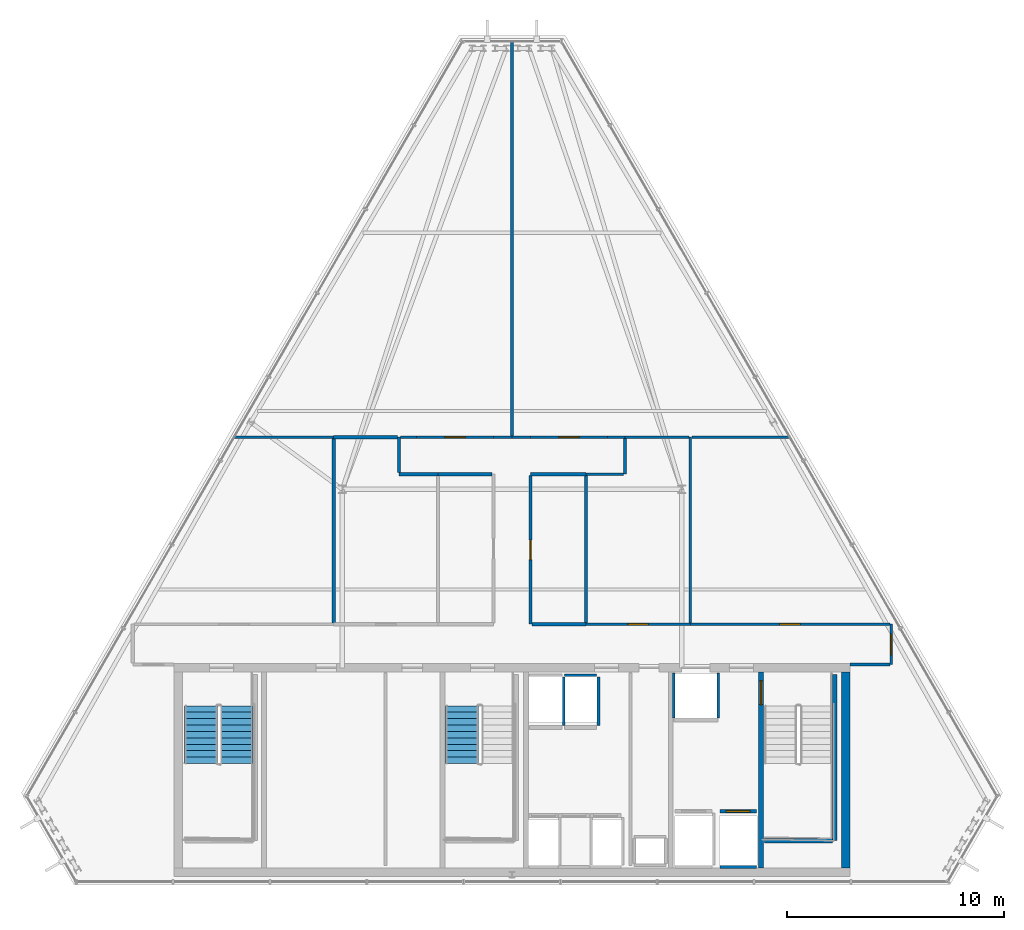
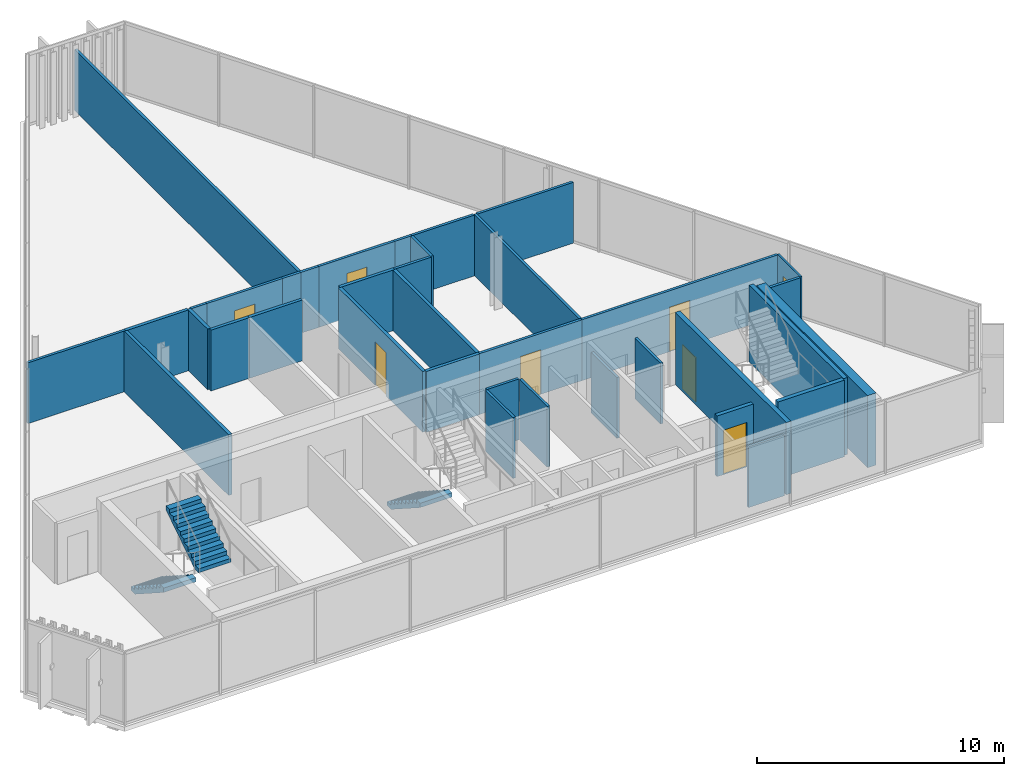
# One storey, part 28 of 32: 37 walls, 8 doors, 3 stair flights, 8 openings, 2 elements without a shape of their own.
"""IFC4 building model written with IfcOpenShell, lengths in metres."""

import ifcopenshell
import ifcopenshell.guid

model = None  # the IFC model being written
_history = None  # IfcOwnerHistory: only IFC2X3 demands one
_inside = {}  # id of a spatial element -> (the spatial element, [elements in it])
_under = {}  # id of a project, library or spatial element -> (it, [spatial elements below it])
_declared = {}  # id of a project -> (the project, [libraries it declares])
_typed = {}  # id of a type object -> (the type object, [elements of that type])
_made_of = {}  # id of a material, layer set ... -> (it, [elements and type objects made of it])


def new_model(schema):
    """Start an empty IFC model of exactly this schema.

    Asked for "IFC4X3", IfcOpenShell would pick the latest addendum, in which some entities
    have other attributes; the version numbers below select the first issue.
    IFC2X3 requires an IfcOwnerHistory on every rooted entity: one is made here for all.
    """
    global model, _history
    if schema == "IFC4X3":
        model = ifcopenshell.file(schema_version=(4, 3, 0, 0))
    else:
        model = ifcopenshell.file(schema=schema)
    _inside.clear()
    _under.clear()
    _declared.clear()
    _typed.clear()
    _made_of.clear()
    _history = None
    if model.schema == "IFC2X3":
        org = make("IfcOrganization", Name="unknown")
        user = make(
            "IfcPersonAndOrganization",
            ThePerson=make("IfcPerson", FamilyName="unknown"),
            TheOrganization=org,
        )
        app = make(
            "IfcApplication",
            ApplicationDeveloper=org,
            Version="unknown",
            ApplicationFullName="unknown",
            ApplicationIdentifier="unknown",
        )
        _history = make(
            "IfcOwnerHistory",
            OwningUser=user,
            OwningApplication=app,
            ChangeAction="ADDED",
            CreationDate=0,
        )
    return model


def make(cls, **values):
    """One entity of the class cls with the attributes given. An attribute that is None is left unset."""
    return model.create_entity(
        cls, **{name: value for name, value in values.items() if value is not None}
    )


def rooted(cls, **values):
    """An entity with a GlobalId (a new one), such as an element, a storey or a relation."""
    return make(cls, GlobalId=ifcopenshell.guid.new(), OwnerHistory=_history, **values)


def si_unit(unit_type, name, prefix=None):
    """IfcSIUnit, for example si_unit("LENGTHUNIT", "METRE", prefix="MILLI")."""
    return make("IfcSIUnit", UnitType=unit_type, Prefix=prefix, Name=name)


def assignment(units):
    """IfcUnitAssignment: the units of a project."""
    return None if units is None else make("IfcUnitAssignment", Units=units)


def point(xyz):
    """IfcCartesianPoint."""
    return None if xyz is None else make("IfcCartesianPoint", Coordinates=xyz)


def direction(xyz):
    """IfcDirection."""
    return None if xyz is None else make("IfcDirection", DirectionRatios=xyz)


def frame(location, z_axis=None, x_axis=None):
    """IfcAxis2Placement3D, a coordinate frame: its origin and axes. An axis left out is left unset."""
    return make(
        "IfcAxis2Placement3D",
        Location=point(location),
        Axis=direction(z_axis),
        RefDirection=direction(x_axis),
    )


def frame_2d(location, x_axis=None):
    """IfcAxis2Placement2D, a coordinate frame in the plane: its origin and x axis."""
    return make(
        "IfcAxis2Placement2D", Location=point(location), RefDirection=direction(x_axis)
    )


def origin():
    """The frame at (0, 0, 0) with its axes left unset."""
    return frame((0.0, 0.0, 0.0))


def place(relative_to, where):
    """IfcLocalPlacement: puts the frame where relative to a parent placement (None: the world)."""
    return make(
        "IfcLocalPlacement", PlacementRelTo=relative_to, RelativePlacement=where
    )


def context(
    kind, dimensions, precision=None, world=None, true_north=None, identifier=None
):
    """IfcGeometricRepresentationContext, for example the 3D "Model" context."""
    return make(
        "IfcGeometricRepresentationContext",
        ContextIdentifier=identifier,
        ContextType=kind,
        CoordinateSpaceDimension=dimensions,
        Precision=precision,
        WorldCoordinateSystem=world,
        TrueNorth=true_north,
    )


def subcontext(parent, identifier, kind, view, scale=None):
    """IfcGeometricRepresentationSubContext, for example "Body" below "Model"."""
    return make(
        "IfcGeometricRepresentationSubContext",
        ContextIdentifier=identifier,
        ContextType=kind,
        ParentContext=parent,
        TargetScale=scale,
        TargetView=view,
    )


def project(units=None, contexts=None):
    """IfcProject with its units and contexts."""
    return rooted(
        "IfcProject",
        Name="project",
        RepresentationContexts=contexts,
        UnitsInContext=assignment(units),
    )


def spatial(cls, under=None, at=None, **own):
    """A site, building, storey or space (cls), placed at a placement, below another one or the project."""
    s = rooted(cls, ObjectPlacement=at, **own)
    if under is not None:
        _under.setdefault(under.id(), (under, []))[1].append(s)
    return s


def polyline(points):
    """IfcPolyline through the points."""
    return make("IfcPolyline", Points=[point(p) for p in points])


def profile(cls, at=None, kind="AREA", **sizes):
    """A parametric profile (cls). Its sizes go by their IFC names, for example OverallWidth=200.0."""
    return make(cls, ProfileType=kind, Position=at, **sizes)


def rectangle(**sizes):
    """IfcRectangleProfileDef."""
    return profile("IfcRectangleProfileDef", **sizes)


def outline(outer, holes=None, kind="AREA"):
    """IfcArbitraryClosedProfileDef: a profile drawn as a closed curve; with holes, ...WithVoids."""
    if holes is None:
        return make("IfcArbitraryClosedProfileDef", ProfileType=kind, OuterCurve=outer)
    return make(
        "IfcArbitraryProfileDefWithVoids",
        ProfileType=kind,
        OuterCurve=outer,
        InnerCurves=holes,
    )


def extrude(swept, where, along, depth):
    """IfcExtrudedAreaSolid: the profile swept, set in the frame where, extruded along a direction by depth."""
    return make(
        "IfcExtrudedAreaSolid",
        SweptArea=swept,
        Position=where,
        ExtrudedDirection=direction(along),
        Depth=depth,
    )


def shape(context_of_items, identifier, shape_type, items):
    """IfcShapeRepresentation: the items that make up one representation, for example the "Body"."""
    return make(
        "IfcShapeRepresentation",
        ContextOfItems=context_of_items,
        RepresentationIdentifier=identifier,
        RepresentationType=shape_type,
        Items=items,
    )


def material(Name=None, Category=None):
    """IfcMaterial."""
    return make("IfcMaterial", Name=Name, Category=Category)


def layer(
    of_material, thickness, ventilated=None, Name=None, Category=None, Priority=None
):
    """IfcMaterialLayer: one layer of a wall or slab, of a material (None: an air gap)."""
    return make(
        "IfcMaterialLayer",
        Material=of_material,
        LayerThickness=thickness,
        IsVentilated=ventilated,
        Name=Name,
        Category=Category,
        Priority=Priority,
    )


def layer_set(layers, Name=None):
    """IfcMaterialLayerSet."""
    return make("IfcMaterialLayerSet", MaterialLayers=layers, LayerSetName=Name)


def made_of(thing, what):
    """Note that an element or type object is made of a material, layer set ...; save() writes the relation."""
    if what is not None:
        _made_of.setdefault(what.id(), (what, []))[1].append(thing)
    return thing


def type_object(cls, material=None, **own):
    """A type object (cls), such as IfcWallType, which elements share."""
    return made_of(rooted(cls, **own), material)


def element(
    cls,
    number,
    at=None,
    inside=None,
    cuts=None,
    type_object=None,
    material=None,
    context=None,
    identifier="Body",
    shape_type=None,
    held_by="IfcProductDefinitionShape",
    body=None,
    shapes=None,
    **own,
):
    """One element of the class cls, such as IfcWall. Its Tag is "e" and its number.

    at: its placement. inside: the storey or other place that contains it. cuts: it is an
    opening in that element (IfcRelVoidsElement). A single representation is given by context,
    identifier, shape_type and body (its items); several are given by shapes. held_by: the class
    of the entity that holds the representations. save() writes the other relations.
    """
    e = rooted(cls, Tag="e%d" % number, ObjectPlacement=at, **own)
    if body is not None:
        shapes = [shape(context, identifier, shape_type, body)]
    if shapes is not None:
        e.Representation = make(held_by, Representations=shapes)
    if inside is not None:
        _inside.setdefault(inside.id(), (inside, []))[1].append(e)
    if cuts is not None:
        rooted(
            "IfcRelVoidsElement", RelatingBuildingElement=cuts, RelatedOpeningElement=e
        )
    if type_object is not None:
        _typed.setdefault(type_object.id(), (type_object, []))[1].append(e)
    return made_of(e, material)


def fill(opening, filler):
    """IfcRelFillsElement: the door or window that sits in an opening."""
    return rooted(
        "IfcRelFillsElement",
        RelatingOpeningElement=opening,
        RelatedBuildingElement=filler,
    )


def aggregate(whole, parts):
    """IfcRelAggregates: a whole, such as a stair, and the parts it consists of."""
    return rooted("IfcRelAggregates", RelatingObject=whole, RelatedObjects=parts)


def save(model, path):
    """Write the relations noted so far, then the file.

    IfcRelAggregates (storeys below a building ...), IfcRelContainedInSpatialStructure (elements
    in a storey), IfcRelDefinesByType, IfcRelAssociatesMaterial and IfcRelDeclares: one each for
    every whole, place, type object, material and project.
    """
    for whole, parts in _under.values():
        aggregate(whole, parts)
    for where, things in _inside.values():
        rooted(
            "IfcRelContainedInSpatialStructure",
            RelatedElements=things,
            RelatingStructure=where,
        )
    for kind, things in _typed.values():
        rooted("IfcRelDefinesByType", RelatedObjects=things, RelatingType=kind)
    for what, things in _made_of.values():
        rooted("IfcRelAssociatesMaterial", RelatedObjects=things, RelatingMaterial=what)
    for by, libraries in _declared.values():
        rooted("IfcRelDeclares", RelatingContext=by, RelatedDefinitions=libraries)
    model.write(path)


model = new_model("IFC4")

# Units and contexts
model_context = context("Model", 3, precision=1e-05, world=origin(), true_north=direction((0.0, 1.0)))
body_context = subcontext(model_context, "Body", "Model", "MODEL_VIEW")
ifc_project = project(units=[si_unit("LENGTHUNIT", "METRE"), si_unit("AREAUNIT", "SQUARE_METRE"), si_unit("VOLUMEUNIT", "CUBIC_METRE"), si_unit("PLANEANGLEUNIT", "RADIAN"), si_unit("MASSUNIT", "GRAM", prefix="KILO")], contexts=[model_context])

# Site, building, storey
site_placement = place(None, origin())
site = spatial("IfcSite", under=ifc_project, at=site_placement, CompositionType="ELEMENT")
building_placement = place(site_placement, origin())
building = spatial("IfcBuilding", under=site, at=building_placement, Name="Ndaravel Arena Tower", CompositionType="ELEMENT")
storey_placement = place(building_placement, frame((0.0, 0.0, 283.300048828125)))
storey = spatial("IfcBuildingStorey", under=building, at=storey_placement, Name="L69", CompositionType="ELEMENT", Elevation=283.300048828125)

# Wall, opening, door
ifc_material_1 = material(Name="Concrete C50/60", Category="concrete")
ifc_layer_1 = layer(ifc_material_1, 0.219970703125)
ifc_layer_set_1 = layer_set([ifc_layer_1], Name="Concrete C50/60")
wall_type_1 = type_object("IfcWallType", Name="WALL-CORE-220", PredefinedType="SOLIDWALL", material=ifc_layer_set_1)
wall_1_placement = place(storey_placement, frame((53.449951171875, 5.800048828125, 0.0), z_axis=(0.0, 0.0, 1.0), x_axis=(0.0, 1.0, 0.0)))
wall_1 = element("IfcWall", 1, at=wall_1_placement, inside=storey, type_object=wall_type_1, Name="L69 Core Web Shear Wall 5", PredefinedType="SOLIDWALL", context=body_context, shape_type="SweptSolid", body=[
    extrude(rectangle(XDim=9.0, YDim=0.219970703125, at=frame_2d((4.5, 0.0))), origin(), (0.0, 0.0, 1.0), 3.579833984375),
])
opening_1_placement = place(wall_1_placement, frame((7.5, 0.0, 0.0)))
opening_1 = element("IfcOpeningElement", 2, at=opening_1_placement, cuts=wall_1, Name="Opening FD-01", PredefinedType="OPENING", context=body_context, shape_type="SweptSolid", body=[
    extrude(rectangle(XDim=1.10009765625, YDim=2.199951171875, at=frame_2d((0.550048828125, 1.10009765625))), frame((0.0, 0.10986328125, 0.0), z_axis=(0.0, -1.0, 0.0), x_axis=(1.0, 0.0, 0.0)), (0.0, 0.0, 1.0), 0.219970703125),
])
ifc_material_2 = material(Name="Steel S355", Category="steel")
door_type_1 = type_object("IfcDoorType", Name="DT-01-STAIR-1100", OperationType="SINGLE_SWING_LEFT", PredefinedType="DOOR", material=ifc_material_2)
door_1_placement = place(opening_1_placement, origin())
door_1 = element("IfcDoor", 3, at=door_1_placement, inside=storey, type_object=door_type_1, Name="L69 Firefighting Lobby to ST-3 Door", OperationType="SINGLE_SWING_LEFT", OverallHeight=2.199951171875, OverallWidth=1.10009765625, PredefinedType="DOOR", context=body_context, shape_type="SweptSolid", body=[
    extrude(rectangle(XDim=1.10009765625, YDim=2.199951171875, at=frame_2d((0.550048828125, 1.10009765625))), frame((0.0, 0.02490234375, 0.0), z_axis=(0.0, -1.0, 0.0), x_axis=(1.0, 0.0, 0.0)), (0.0, 0.0, 1.0), 0.050048828125),
])
fill(opening_1, door_1)

# Wall
ifc_material_3 = material(Name="Concrete C50/60", Category="concrete")
ifc_layer_2 = layer(ifc_material_3, 0.39990234375)
ifc_layer_set_2 = layer_set([ifc_layer_2], Name="Concrete C50/60")
wall_type_2 = type_object("IfcWallType", Name="WALL-CORE-400", PredefinedType="SOLIDWALL", material=ifc_layer_set_2)
wall_2_placement = place(storey_placement, frame((57.35009765625, 5.800048828125, 0.0), z_axis=(0.0, 0.0, 1.0), x_axis=(0.0, 1.0, 0.0)))
element("IfcWall", 4, at=wall_2_placement, inside=storey, type_object=wall_type_2, Name="L69 Core East Shear Wall", PredefinedType="SOLIDWALL", context=body_context, shape_type="SweptSolid", body=[
    extrude(rectangle(XDim=9.0, YDim=0.39990234375, at=frame_2d((4.5, 0.0))), origin(), (0.0, 0.0, 1.0), 3.579833984375),
])

# Wall, opening, door
ifc_material_4 = material(Name="Timber", Category="wood")
ifc_layer_3 = layer(ifc_material_4, 0.10009765625)
ifc_layer_set_3 = layer_set([ifc_layer_3], Name="Timber")
wall_type_3 = type_object("IfcWallType", Name="WALL-MOVABLE-100", PredefinedType="MOVABLE", material=ifc_layer_set_3)
wall_3_placement = place(storey_placement, frame((59.43408203125, 17.0, 0.0), z_axis=(0.0, 0.0, 1.0), x_axis=(0.0, -1.0, 0.0)))
wall_3 = element("IfcWall", 5, at=wall_3_placement, inside=storey, type_object=wall_type_3, Name="L69 Interior Partition 001", PredefinedType="MOVABLE", context=body_context, shape_type="SweptSolid", body=[
    extrude(rectangle(XDim=1.85009765625, YDim=0.10009765625, at=frame_2d((0.925048828125, 0.0))), origin(), (0.0, 0.0, 1.0), 3.010498046875),
])
opening_2_placement = place(wall_3_placement, frame((0.449951171875, 0.0, 0.0)))
opening_2 = element("IfcOpeningElement", 6, at=opening_2_placement, cuts=wall_3, Name="Opening ID-01", PredefinedType="OPENING", context=body_context, shape_type="SweptSolid", body=[
    extrude(rectangle(XDim=0.949951171875, YDim=2.199951171875, at=frame_2d((0.47509765625, 1.10009765625))), frame((0.0, 0.050048828125, 0.0), z_axis=(0.0, -1.0, 0.0), x_axis=(1.0, 0.0, 0.0)), (0.0, 0.0, 1.0), 0.10009765625),
])
ifc_material_5 = material(Name="Timber", Category="wood")
door_type_2 = type_object("IfcDoorType", Name="DT-03-OFFICE-950", OperationType="SINGLE_SWING_LEFT", PredefinedType="DOOR", material=ifc_material_5)
door_2_placement = place(opening_2_placement, origin())
door_2 = element("IfcDoor", 7, at=door_2_placement, inside=storey, type_object=door_type_2, Name="L69 Floor Security Control Room Door", OperationType="SINGLE_SWING_LEFT", OverallHeight=2.199951171875, OverallWidth=0.949951171875, PredefinedType="DOOR", context=body_context, shape_type="SweptSolid", body=[
    extrude(rectangle(XDim=0.949951171875, YDim=2.199951171875, at=frame_2d((0.47509765625, 1.10009765625))), frame((0.0, 0.02490234375, 0.0), z_axis=(0.0, -1.0, 0.0), x_axis=(1.0, 0.0, 0.0)), (0.0, 0.0, 1.0), 0.050048828125),
])
fill(opening_2, door_2)

# Walls
ifc_material_6 = material(Name="Gypsum", Category="gypsum")
ifc_layer_4 = layer(ifc_material_6, 0.125)
ifc_layer_set_4 = layer_set([ifc_layer_4], Name="Gypsum")
wall_type_4 = type_object("IfcWallType", Name="WALL-PART-125", PredefinedType="PARTITIONING", material=ifc_layer_set_4)
wall_4_placement = place(storey_placement, frame((59.368896484375, 15.14990234375, 0.0), z_axis=(0.0, 0.0, 1.0), x_axis=(-1.0, 0.0, 0.0)))
element("IfcWall", 8, at=wall_4_placement, inside=storey, type_object=wall_type_4, Name="L69 Interior Partition 002", PredefinedType="PARTITIONING", context=body_context, shape_type="SweptSolid", body=[
    extrude(rectangle(XDim=1.81884765625, YDim=0.125, at=frame_2d((0.909423828125, 0.0))), origin(), (0.0, 0.0, 1.0), 3.010498046875),
])
wall_5_placement = place(storey_placement, frame((36.864990234375, 25.60009765625, 0.0), z_axis=(0.0, 0.0, 1.0), x_axis=(1.0, 0.0, 0.0)))
element("IfcWall", 9, at=wall_5_placement, inside=storey, type_object=wall_type_4, Name="L69 Interior Partition 012", PredefinedType="PARTITIONING", context=body_context, shape_type="SweptSolid", body=[
    extrude(rectangle(XDim=0.735107421875, YDim=0.125, at=frame_2d((0.36767578125, 0.0))), origin(), (0.0, 0.0, 1.0), 3.010498046875),
])

# Wall, opening, door
wall_6_placement = place(storey_placement, frame((37.60009765625, 25.60009765625, 0.0), z_axis=(0.0, 0.0, 1.0), x_axis=(1.0, 0.0, 0.0)))
wall_6 = element("IfcWall", 10, at=wall_6_placement, inside=storey, type_object=wall_type_4, Name="L69 Interior Partition 013", PredefinedType="PARTITIONING", context=body_context, shape_type="SweptSolid", body=[
    extrude(rectangle(XDim=3.5498046875, YDim=0.125, at=frame_2d((1.77490234375, 0.0))), origin(), (0.0, 0.0, 1.0), 3.010498046875),
])
opening_3_placement = place(wall_6_placement, frame((1.300048828125, 0.0, 0.0)))
opening_3 = element("IfcOpeningElement", 11, at=opening_3_placement, cuts=wall_6, Name="Opening ID-01", PredefinedType="OPENING", context=body_context, shape_type="SweptSolid", body=[
    extrude(rectangle(XDim=0.949951171875, YDim=2.199951171875, at=frame_2d((0.47509765625, 1.10009765625))), frame((0.0, 0.0625, 0.0), z_axis=(0.0, -1.0, 0.0), x_axis=(1.0, 0.0, 0.0)), (0.0, 0.0, 1.0), 0.125),
])
door_3_placement = place(opening_3_placement, origin())
door_3 = element("IfcDoor", 12, at=door_3_placement, inside=storey, type_object=door_type_2, Name="L69 Tenant Mail & Post Room 2 Door", OperationType="SINGLE_SWING_RIGHT", OverallHeight=2.199951171875, OverallWidth=0.949951171875, PredefinedType="DOOR", context=body_context, shape_type="SweptSolid", body=[
    extrude(rectangle(XDim=0.949951171875, YDim=2.199951171875, at=frame_2d((0.47509765625, 1.10009765625))), frame((0.0, 0.02490234375, 0.0), z_axis=(0.0, -1.0, 0.0), x_axis=(1.0, 0.0, 0.0)), (0.0, 0.0, 1.0), 0.050048828125),
])
fill(opening_3, door_3)

# Walls
for number, where, z_axis, x_axis, name in (
    (13, (41.14990234375, 25.60009765625, 0.0), (0.0, 0.0, 1.0), (1.0, 0.0, 0.0), "L69 Interior Partition 014"),
    (14, (42.0, 25.60009765625, 0.0), (0.0, 0.0, 1.0), (1.0, 0.0, 0.0), "L69 Interior Partition 015"),
):
    element("IfcWall", number, at=place(storey_placement, frame(where, z_axis=z_axis, x_axis=x_axis)), inside=storey, type_object=wall_type_4, Name=name, PredefinedType="PARTITIONING", context=body_context, shape_type="SweptSolid", body=[
        extrude(rectangle(XDim=0.85009765625, YDim=0.125, at=frame_2d((0.425048828125, 0.0))), origin(), (0.0, 0.0, 1.0), 3.010498046875),
    ])

# Wall, opening, door
wall_7_placement = place(storey_placement, frame((42.85009765625, 25.60009765625, 0.0), z_axis=(0.0, 0.0, 1.0), x_axis=(1.0, 0.0, 0.0)))
wall_7 = element("IfcWall", 15, at=wall_7_placement, inside=storey, type_object=wall_type_4, Name="L69 Interior Partition 016", PredefinedType="PARTITIONING", context=body_context, shape_type="SweptSolid", body=[
    extrude(rectangle(XDim=3.5498046875, YDim=0.125, at=frame_2d((1.77490234375, 0.0))), origin(), (0.0, 0.0, 1.0), 3.010498046875),
])
opening_4_placement = place(wall_7_placement, frame((1.300048828125, 0.0, 0.0)))
opening_4 = element("IfcOpeningElement", 16, at=opening_4_placement, cuts=wall_7, Name="Opening ID-01", PredefinedType="OPENING", context=body_context, shape_type="SweptSolid", body=[
    extrude(rectangle(XDim=0.949951171875, YDim=2.199951171875, at=frame_2d((0.47509765625, 1.10009765625))), frame((0.0, 0.0625, 0.0), z_axis=(0.0, -1.0, 0.0), x_axis=(1.0, 0.0, 0.0)), (0.0, 0.0, 1.0), 0.125),
])
door_4_placement = place(opening_4_placement, origin())
door_4 = element("IfcDoor", 17, at=door_4_placement, inside=storey, type_object=door_type_2, Name="L69 Facilities Operations Room 3 Door", OperationType="SINGLE_SWING_LEFT", OverallHeight=2.199951171875, OverallWidth=0.949951171875, PredefinedType="DOOR", context=body_context, shape_type="SweptSolid", body=[
    extrude(rectangle(XDim=0.949951171875, YDim=2.199951171875, at=frame_2d((0.47509765625, 1.10009765625))), frame((0.0, 0.02490234375, 0.0), z_axis=(0.0, -1.0, 0.0), x_axis=(1.0, 0.0, 0.0)), (0.0, 0.0, 1.0), 0.050048828125),
])
fill(opening_4, door_4)

# Walls
wall_8_placement = place(storey_placement, frame((46.39990234375, 25.60009765625, 0.0), z_axis=(0.0, 0.0, 1.0), x_axis=(1.0, 0.0, 0.0)))
element("IfcWall", 18, at=wall_8_placement, inside=storey, type_object=wall_type_4, Name="L69 Interior Partition 017", PredefinedType="PARTITIONING", context=body_context, shape_type="SweptSolid", body=[
    extrude(rectangle(XDim=0.800048828125, YDim=0.125, at=frame_2d((0.39990234375, 0.0))), origin(), (0.0, 0.0, 1.0), 3.010498046875),
])
wall_9_placement = place(storey_placement, frame((47.199951171875, 25.534912109375, 0.0), z_axis=(0.0, 0.0, 1.0), x_axis=(0.0, -1.0, 0.0)))
element("IfcWall", 19, at=wall_9_placement, inside=storey, type_object=wall_type_4, Name="L69 Interior Partition 018", PredefinedType="PARTITIONING", context=body_context, shape_type="SweptSolid", body=[
    extrude(rectangle(XDim=1.635009765625, YDim=0.125, at=frame_2d((0.8173828125, 0.0))), origin(), (0.0, 0.0, 1.0), 3.010498046875),
])
wall_10_placement = place(storey_placement, frame((47.135009765625, 23.89990234375, 0.0), z_axis=(0.0, 0.0, 1.0), x_axis=(-1.0, 0.0, 0.0)))
element("IfcWall", 20, at=wall_10_placement, inside=storey, type_object=wall_type_4, Name="L69 Interior Partition 019", PredefinedType="PARTITIONING", context=body_context, shape_type="SweptSolid", body=[
    extrude(rectangle(XDim=1.735107421875, YDim=0.125, at=frame_2d((0.86767578125, 0.0))), origin(), (0.0, 0.0, 1.0), 3.010498046875),
])

# Wall, opening, door
wall_11_placement = place(storey_placement, frame((45.39990234375, 17.0, 0.0), z_axis=(0.0, 0.0, 1.0), x_axis=(1.0, 0.0, 0.0)))
wall_11 = element("IfcWall", 21, at=wall_11_placement, inside=storey, type_object=wall_type_4, Name="L69 Interior Partition 023", PredefinedType="PARTITIONING", context=body_context, shape_type="SweptSolid", body=[
    extrude(rectangle(XDim=4.800048828125, YDim=0.125, at=frame_2d((2.39990234375, 0.0))), origin(), (0.0, 0.0, 1.0), 3.010498046875),
])
opening_5_placement = place(wall_11_placement, frame((1.925048828125, 0.0, 0.0)))
opening_5 = element("IfcOpeningElement", 22, at=opening_5_placement, cuts=wall_11, Name="Opening ID-01", PredefinedType="OPENING", context=body_context, shape_type="SweptSolid", body=[
    extrude(rectangle(XDim=0.949951171875, YDim=2.199951171875, at=frame_2d((0.47509765625, 1.10009765625))), frame((0.0, 0.0625, 0.0), z_axis=(0.0, -1.0, 0.0), x_axis=(1.0, 0.0, 0.0)), (0.0, 0.0, 1.0), 0.125),
])
door_5_placement = place(opening_5_placement, origin())
door_5 = element("IfcDoor", 23, at=door_5_placement, inside=storey, type_object=door_type_2, Name="L69 Barista Galley 3 Door", OperationType="SINGLE_SWING_LEFT", OverallHeight=2.199951171875, OverallWidth=0.949951171875, PredefinedType="DOOR", context=body_context, shape_type="SweptSolid", body=[
    extrude(rectangle(XDim=0.949951171875, YDim=2.199951171875, at=frame_2d((0.47509765625, 1.10009765625))), frame((0.0, 0.02490234375, 0.0), z_axis=(0.0, -1.0, 0.0), x_axis=(1.0, 0.0, 0.0)), (0.0, 0.0, 1.0), 0.050048828125),
])
fill(opening_5, door_5)

wall_12_placement = place(storey_placement, frame((50.199951171875, 17.0, 0.0), z_axis=(0.0, 0.0, 1.0), x_axis=(1.0, 0.0, 0.0)))
wall_12 = element("IfcWall", 24, at=wall_12_placement, inside=storey, type_object=wall_type_4, Name="L69 Interior Partition 024", PredefinedType="PARTITIONING", context=body_context, shape_type="SweptSolid", body=[
    extrude(rectangle(XDim=9.1689453125, YDim=0.125, at=frame_2d((4.58447265625, 0.0))), origin(), (0.0, 0.0, 1.0), 3.010498046875),
])
opening_6_placement = place(wall_12_placement, frame((4.109619140625, 0.0, 0.0)))
opening_6 = element("IfcOpeningElement", 25, at=opening_6_placement, cuts=wall_12, Name="Opening ID-01", PredefinedType="OPENING", context=body_context, shape_type="SweptSolid", body=[
    extrude(rectangle(XDim=0.949951171875, YDim=2.199951171875, at=frame_2d((0.47509765625, 1.10009765625))), frame((0.0, 0.0625, 0.0), z_axis=(0.0, -1.0, 0.0), x_axis=(1.0, 0.0, 0.0)), (0.0, 0.0, 1.0), 0.125),
])
door_6_placement = place(opening_6_placement, origin())
door_6 = element("IfcDoor", 26, at=door_6_placement, inside=storey, type_object=door_type_2, Name="L69 Open Plan Workplace Door", OperationType="SINGLE_SWING_LEFT", OverallHeight=2.199951171875, OverallWidth=0.949951171875, PredefinedType="DOOR", context=body_context, shape_type="SweptSolid", body=[
    extrude(rectangle(XDim=0.949951171875, YDim=2.199951171875, at=frame_2d((0.47509765625, 1.10009765625))), frame((0.0, 0.02490234375, 0.0), z_axis=(0.0, -1.0, 0.0), x_axis=(1.0, 0.0, 0.0)), (0.0, 0.0, 1.0), 0.050048828125),
])
fill(opening_6, door_6)

# Walls
wall_13_placement = place(storey_placement, frame((29.22119140625, 25.60009765625, 0.0), z_axis=(0.0, 0.0, 1.0), x_axis=(1.0, 0.0, 0.0)))
element("IfcWall", 27, at=wall_13_placement, inside=storey, type_object=wall_type_4, Name="L69 Interior Partition 027", PredefinedType="PARTITIONING", context=body_context, shape_type="SweptSolid", body=[
    extrude(rectangle(XDim=4.578857421875, YDim=0.125, at=frame_2d((2.28955078125, 0.0))), origin(), (0.0, 0.0, 1.0), 3.010498046875),
])
wall_14_placement = place(storey_placement, frame((50.199951171875, 17.06494140625, 0.0), z_axis=(0.0, 0.0, 1.0), x_axis=(0.0, 1.0, 0.0)))
element("IfcWall", 28, at=wall_14_placement, inside=storey, type_object=wall_type_4, Name="L69 Interior Partition 029", PredefinedType="PARTITIONING", context=body_context, shape_type="SweptSolid", body=[
    extrude(rectangle(XDim=8.53515625, YDim=0.125, at=frame_2d((4.267578125, 0.0))), origin(), (0.0, 0.0, 1.0), 3.010498046875),
])
wall_15_placement = place(storey_placement, frame((50.264892578125, 25.60009765625, 0.0), z_axis=(0.0, 0.0, 1.0), x_axis=(1.0, 0.0, 0.0)))
element("IfcWall", 29, at=wall_15_placement, inside=storey, type_object=wall_type_4, Name="L69 Interior Partition 030", PredefinedType="PARTITIONING", context=body_context, shape_type="SweptSolid", body=[
    extrude(rectangle(XDim=4.513916015625, YDim=0.125, at=frame_2d((2.2568359375, 0.0))), origin(), (0.0, 0.0, 1.0), 3.010498046875),
])
wall_16_placement = place(storey_placement, frame((47.199951171875, 25.60009765625, 0.0), z_axis=(0.0, 0.0, 1.0), x_axis=(1.0, 0.0, 0.0)))
element("IfcWall", 30, at=wall_16_placement, inside=storey, type_object=wall_type_4, Name="L69 Interior Partition 032", PredefinedType="PARTITIONING", context=body_context, shape_type="SweptSolid", body=[
    extrude(rectangle(XDim=2.93505859375, YDim=0.125, at=frame_2d((1.467529296875, 0.0))), origin(), (0.0, 0.0, 1.0), 3.010498046875),
])
wall_17_placement = place(storey_placement, frame((42.0, 43.797607421875, 0.0), z_axis=(0.0, 0.0, 1.0), x_axis=(0.0, -1.0, 0.0)))
element("IfcWall", 31, at=wall_17_placement, inside=storey, type_object=wall_type_4, Name="L69 Interior Partition 033", PredefinedType="PARTITIONING", context=body_context, shape_type="SweptSolid", body=[
    extrude(rectangle(XDim=18.132568359375, YDim=0.125, at=frame_2d((9.06640625, 0.0))), origin(), (0.0, 0.0, 1.0), 3.010498046875),
])
ifc_material_7 = material(Name="Concrete C40/50", Category="concrete")
ifc_layer_5 = layer(ifc_material_7, 0.1201171875)
ifc_layer_set_5 = layer_set([ifc_layer_5], Name="Concrete C40/50")
wall_type_5 = type_object("IfcWallType", Name="WALL-SHAFT-120", PredefinedType="SOLIDWALL", material=ifc_layer_set_5)
wall_18_placement = place(storey_placement, frame((44.375, 12.340087890625, 0.0), z_axis=(0.0, 0.0, 1.0), x_axis=(0.0, 1.0, 0.0)))
element("IfcWall", 32, at=wall_18_placement, inside=storey, type_object=wall_type_5, Name="L69 PL-OBS1 Shaft Side R Wall", PredefinedType="SOLIDWALL", context=body_context, shape_type="SweptSolid", body=[
    extrude(rectangle(XDim=2.22998046875, YDim=0.1201171875, at=frame_2d((1.114990234375, 0.0))), origin(), (0.0, 0.0, 1.0), 3.010498046875),
])
wall_19_placement = place(storey_placement, frame((44.405029296875, 14.659912109375, 0.0), z_axis=(0.0, 0.0, 1.0), x_axis=(1.0, 0.0, 0.0)))
element("IfcWall", 33, at=wall_19_placement, inside=storey, type_object=wall_type_5, Name="L69 PL-OBS2 Shaft Rear Wall", PredefinedType="SOLIDWALL", context=body_context, shape_type="SweptSolid", body=[
    extrude(rectangle(XDim=1.489990234375, YDim=0.1201171875, at=frame_2d((0.7451171875, 0.0))), origin(), (0.0, 0.0, 1.0), 3.010498046875),
])
wall_20_placement = place(storey_placement, frame((45.97509765625, 12.340087890625, 0.0), z_axis=(0.0, 0.0, 1.0), x_axis=(0.0, 1.0, 0.0)))
element("IfcWall", 34, at=wall_20_placement, inside=storey, type_object=wall_type_5, Name="L69 PL-OBS2 Shaft Side R Wall", PredefinedType="SOLIDWALL", context=body_context, shape_type="SweptSolid", body=[
    extrude(rectangle(XDim=2.22998046875, YDim=0.1201171875, at=frame_2d((1.114990234375, 0.0))), origin(), (0.0, 0.0, 1.0), 3.010498046875),
])
wall_21_placement = place(storey_placement, frame((51.554931640625, 5.840087890625, 0.0), z_axis=(0.0, 0.0, 1.0), x_axis=(1.0, 0.0, 0.0)))
element("IfcWall", 35, at=wall_21_placement, inside=storey, type_object=wall_type_5, Name="L69 FFL-2 Shaft Rear Wall", PredefinedType="SOLIDWALL", context=body_context, shape_type="SweptSolid", body=[
    extrude(rectangle(XDim=1.690185546875, YDim=0.1201171875, at=frame_2d((0.84521484375, 0.0))), origin(), (0.0, 0.0, 1.0), 3.010498046875),
])
for number, where, z_axis, x_axis, name in (
    (36, (49.43994140625, 12.68994140625, 0.0), (0.0, 0.0, 1.0), (0.0, 1.0, 0.0), "L69 SVL-1 Shaft W Wall"),
    (37, (51.47998046875, 12.68994140625, 0.0), (0.0, 0.0, 1.0), (0.0, 1.0, 0.0), "L69 SVL-1 Shaft E Wall"),
):
    element("IfcWall", number, at=place(storey_placement, frame(where, z_axis=z_axis, x_axis=x_axis)), inside=storey, type_object=wall_type_5, Name=name, PredefinedType="SOLIDWALL", context=body_context, shape_type="SweptSolid", body=[
        extrude(rectangle(XDim=2.070068359375, YDim=0.1201171875, at=frame_2d((1.03515625, 0.0))), origin(), (0.0, 0.0, 1.0), 3.010498046875),
    ])
ifc_material_8 = material(Name="Concrete C40/50", Category="concrete")
ifc_layer_6 = layer(ifc_material_8, 0.199951171875)
ifc_layer_set_6 = layer_set([ifc_layer_6], Name="Concrete C40/50")
wall_type_6 = type_object("IfcWallType", Name="WALL-SHAFT-200", PredefinedType="SOLIDWALL", material=ifc_layer_set_6)
wall_22_placement = place(storey_placement, frame((56.840087890625, 14.699951171875, 0.0), z_axis=(0.0, 0.0, 1.0), x_axis=(0.0, -1.0, 0.0)))
element("IfcWall", 38, at=wall_22_placement, inside=storey, type_object=wall_type_6, Name="L69 ST-3 Structural Shaft Wall Right", PredefinedType="SOLIDWALL", context=body_context, shape_type="SweptSolid", body=[
    extrude(rectangle(XDim=7.64990234375, YDim=0.199951171875, at=frame_2d((3.824951171875, 0.0))), origin(), (0.0, 0.0, 1.0), 3.800048828125),
])
wall_23_placement = place(storey_placement, frame((53.6201171875, 7.050048828125, 0.0), z_axis=(0.0, 0.0, 1.0), x_axis=(1.0, 0.0, 0.0)))
element("IfcWall", 39, at=wall_23_placement, inside=storey, type_object=wall_type_6, Name="L69 ST-3 Structural Shaft Wall Far", PredefinedType="SOLIDWALL", context=body_context, shape_type="SweptSolid", body=[
    extrude(rectangle(XDim=3.114990234375, YDim=0.199951171875, at=frame_2d((1.5576171875, 0.0))), origin(), (0.0, 0.0, 1.0), 3.800048828125),
])

# Wall, opening, door
wall_24_placement = place(storey_placement, frame((51.554931640625, 8.39990234375, 0.0), z_axis=(0.0, 0.0, 1.0), x_axis=(1.0, 0.0, 0.0)))
wall_24 = element("IfcWall", 40, at=wall_24_placement, inside=storey, type_object=wall_type_6, Name="L69 FFL-2 Shaft Landing Wall", PredefinedType="SOLIDWALL", context=body_context, shape_type="SweptSolid", body=[
    extrude(rectangle(XDim=1.690185546875, YDim=0.179931640625, at=frame_2d((0.84521484375, 0.0))), origin(), (0.0, 0.0, 1.0), 3.010498046875),
])
opening_7_placement = place(wall_24_placement, frame((0.294921875, 0.0, 0.0)))
opening_7 = element("IfcOpeningElement", 41, at=opening_7_placement, cuts=wall_24, Name="Opening LD-01", PredefinedType="OPENING", context=body_context, shape_type="SweptSolid", body=[
    extrude(rectangle(XDim=1.10009765625, YDim=2.199951171875, at=frame_2d((0.550048828125, 1.10009765625))), frame((0.0, 0.08984375, 0.0), z_axis=(0.0, -1.0, 0.0), x_axis=(1.0, 0.0, 0.0)), (0.0, 0.0, 1.0), 0.179931640625),
])
ifc_material_9 = material(Name="Steel S355", Category="steel")
door_type_3 = type_object("IfcDoorType", Name="DT-06-LIFT-1100", OperationType="SLIDING_TO_LEFT", PredefinedType="DOOR", material=ifc_material_9)
door_7_placement = place(opening_7_placement, origin())
door_7 = element("IfcDoor", 42, at=door_7_placement, inside=storey, type_object=door_type_3, Name="L69 Lift FFL-2 Sliding Landing Door", OperationType="SLIDING_TO_LEFT", OverallHeight=2.199951171875, OverallWidth=1.10009765625, PredefinedType="DOOR", context=body_context, shape_type="SweptSolid", body=[
    extrude(rectangle(XDim=1.10009765625, YDim=2.199951171875, at=frame_2d((0.550048828125, 1.10009765625))), frame((0.0, 0.02490234375, 0.0), z_axis=(0.0, -1.0, 0.0), x_axis=(1.0, 0.0, 0.0)), (0.0, 0.0, 1.0), 0.050048828125),
])
fill(opening_7, door_7)

# Walls
ifc_material_10 = material(Name="Masonry", Category="masonry")
ifc_layer_7 = layer(ifc_material_10, 0.14990234375)
ifc_layer_set_7 = layer_set([ifc_layer_7], Name="Masonry")
wall_type_7 = type_object("IfcWallType", Name="WALL-WET-150", PredefinedType="PARTITIONING", material=ifc_layer_set_7)
wall_25_placement = place(storey_placement, frame((41.0849609375, 23.89990234375, 0.0), z_axis=(0.0, 0.0, 1.0), x_axis=(-1.0, 0.0, 0.0)))
element("IfcWall", 43, at=wall_25_placement, inside=storey, type_object=wall_type_7, Name="L69 Interior Partition 009", PredefinedType="PARTITIONING", context=body_context, shape_type="SweptSolid", body=[
    extrude(rectangle(XDim=2.48486328125, YDim=0.14990234375, at=frame_2d((1.242431640625, 0.0))), origin(), (0.0, 0.0, 1.0), 3.010498046875),
])
wall_26_placement = place(storey_placement, frame((38.60009765625, 23.89990234375, 0.0), z_axis=(0.0, 0.0, 1.0), x_axis=(-1.0, 0.0, 0.0)))
element("IfcWall", 44, at=wall_26_placement, inside=storey, type_object=wall_type_7, Name="L69 Interior Partition 010", PredefinedType="PARTITIONING", context=body_context, shape_type="SweptSolid", body=[
    extrude(rectangle(XDim=1.800048828125, YDim=0.14990234375, at=frame_2d((0.89990234375, 0.0))), origin(), (0.0, 0.0, 1.0), 3.010498046875),
])
wall_27_placement = place(storey_placement, frame((36.800048828125, 23.965087890625, 0.0), z_axis=(0.0, 0.0, 1.0), x_axis=(0.0, 1.0, 0.0)))
element("IfcWall", 45, at=wall_27_placement, inside=storey, type_object=wall_type_7, Name="L69 Interior Partition 011", PredefinedType="PARTITIONING", context=body_context, shape_type="SweptSolid", body=[
    extrude(rectangle(XDim=1.635009765625, YDim=0.14990234375, at=frame_2d((0.8173828125, 0.0))), origin(), (0.0, 0.0, 1.0), 3.010498046875),
])
wall_28_placement = place(storey_placement, frame((45.39990234375, 23.89990234375, 0.0), z_axis=(0.0, 0.0, 1.0), x_axis=(-1.0, 0.0, 0.0)))
element("IfcWall", 46, at=wall_28_placement, inside=storey, type_object=wall_type_7, Name="L69 Interior Partition 020", PredefinedType="PARTITIONING", context=body_context, shape_type="SweptSolid", body=[
    extrude(rectangle(XDim=2.5498046875, YDim=0.14990234375, at=frame_2d((1.27490234375, 0.0))), origin(), (0.0, 0.0, 1.0), 3.010498046875),
])

# Wall, opening, door
wall_29_placement = place(storey_placement, frame((42.85009765625, 23.8349609375, 0.0), z_axis=(0.0, 0.0, 1.0), x_axis=(0.0, -1.0, 0.0)))
wall_29 = element("IfcWall", 47, at=wall_29_placement, inside=storey, type_object=wall_type_7, Name="L69 Interior Partition 021", PredefinedType="PARTITIONING", context=body_context, shape_type="SweptSolid", body=[
    extrude(rectangle(XDim=6.8349609375, YDim=0.14990234375, at=frame_2d((3.41748046875, 0.0))), origin(), (0.0, 0.0, 1.0), 3.010498046875),
])
opening_8_placement = place(wall_29_placement, frame((2.967529296875, 0.0, 0.0)))
opening_8 = element("IfcOpeningElement", 48, at=opening_8_placement, cuts=wall_29, Name="Opening WD-01", PredefinedType="OPENING", context=body_context, shape_type="SweptSolid", body=[
    extrude(rectangle(XDim=0.89990234375, YDim=2.14990234375, at=frame_2d((0.449951171875, 1.074951171875))), frame((0.0, 0.074951171875, 0.0), z_axis=(0.0, -1.0, 0.0), x_axis=(1.0, 0.0, 0.0)), (0.0, 0.0, 1.0), 0.14990234375),
])
ifc_material_11 = material(Name="Timber", Category="wood")
door_type_4 = type_object("IfcDoorType", Name="DT-05-WC-900", OperationType="SINGLE_SWING_LEFT", PredefinedType="DOOR", material=ifc_material_11)
door_8_placement = place(opening_8_placement, origin())
door_8 = element("IfcDoor", 49, at=door_8_placement, inside=storey, type_object=door_type_4, Name="L69 Female & Accessible Restroom Door", OperationType="SINGLE_SWING_LEFT", OverallHeight=2.14990234375, OverallWidth=0.89990234375, PredefinedType="DOOR", context=body_context, shape_type="SweptSolid", body=[
    extrude(rectangle(XDim=0.89990234375, YDim=2.14990234375, at=frame_2d((0.449951171875, 1.074951171875))), frame((0.0, 0.02490234375, 0.0), z_axis=(0.0, -1.0, 0.0), x_axis=(1.0, 0.0, 0.0)), (0.0, 0.0, 1.0), 0.050048828125),
])
fill(opening_8, door_8)

# Walls
wall_30_placement = place(storey_placement, frame((42.9150390625, 17.0, 0.0), z_axis=(0.0, 0.0, 1.0), x_axis=(1.0, 0.0, 0.0)))
element("IfcWall", 50, at=wall_30_placement, inside=storey, type_object=wall_type_7, Name="L69 Interior Partition 022", PredefinedType="PARTITIONING", context=body_context, shape_type="SweptSolid", body=[
    extrude(rectangle(XDim=2.48486328125, YDim=0.14990234375, at=frame_2d((1.242431640625, 0.0))), origin(), (0.0, 0.0, 1.0), 3.010498046875),
])
wall_31_placement = place(storey_placement, frame((45.39990234375, 23.8349609375, 0.0), z_axis=(0.0, 0.0, 1.0), x_axis=(0.0, -1.0, 0.0)))
element("IfcWall", 51, at=wall_31_placement, inside=storey, type_object=wall_type_7, Name="L69 Interior Partition 026", PredefinedType="PARTITIONING", context=body_context, shape_type="SweptSolid", body=[
    extrude(rectangle(XDim=6.77001953125, YDim=0.14990234375, at=frame_2d((3.385009765625, 0.0))), origin(), (0.0, 0.0, 1.0), 3.010498046875),
])
wall_32_placement = place(storey_placement, frame((33.800048828125, 25.534912109375, 0.0), z_axis=(0.0, 0.0, 1.0), x_axis=(0.0, -1.0, 0.0)))
element("IfcWall", 52, at=wall_32_placement, inside=storey, type_object=wall_type_7, Name="L69 Interior Partition 028", PredefinedType="PARTITIONING", context=body_context, shape_type="SweptSolid", body=[
    extrude(rectangle(XDim=8.469970703125, YDim=0.14990234375, at=frame_2d((4.23486328125, 0.0))), origin(), (0.0, 0.0, 1.0), 3.010498046875),
])
wall_33_placement = place(storey_placement, frame((33.800048828125, 25.60009765625, 0.0), z_axis=(0.0, 0.0, 1.0), x_axis=(1.0, 0.0, 0.0)))
element("IfcWall", 53, at=wall_33_placement, inside=storey, type_object=wall_type_7, Name="L69 Interior Partition 031", PredefinedType="PARTITIONING", context=body_context, shape_type="SweptSolid", body=[
    extrude(rectangle(XDim=2.93505859375, YDim=0.14990234375, at=frame_2d((1.467529296875, 0.0))), origin(), (0.0, 0.0, 1.0), 3.010498046875),
])

# Stair, stair flights
ifc_material_12 = material(Name="Concrete C40/50", Category="concrete")
stair_type = type_object("IfcStairType", Name="STAIR-CORE-HT", PredefinedType="HALF_TURN_STAIR", material=ifc_material_12)
stair_1_placement = place(storey_placement, origin())
stair_1 = element("IfcStair", 54, at=stair_1_placement, inside=storey, type_object=stair_type, Name="L69 ST-1", PredefinedType="HALF_TURN_STAIR")
ifc_material_13 = material(Name="Concrete C40/50", Category="concrete")
stair_flight_type = type_object("IfcStairFlightType", Name="SFLIGHT-CORE-1680", PredefinedType="STRAIGHT", material=ifc_material_13)
stair_flight_1_placement = place(storey_placement, frame((27.699951171875, 13.25, 0.0), z_axis=(0.0, 0.0, 1.0), x_axis=(0.0, -1.0, 0.0)))
stair_flight_1 = element("IfcStairFlight", 55, at=stair_flight_1_placement, type_object=stair_flight_type, Name="ST-1 flight 1", NumberOfRisers=10, NumberOfTreads=9, PredefinedType="STRAIGHT", RiserHeight=0.19, TreadLength=0.295, context=body_context, shape_type="SweptSolid", body=[
    extrude(outline(polyline([(0.0, 0.0), (0.0, 0.18994140625), (0.294921875, 0.18994140625), (0.294921875, 0.3798828125), (0.590087890625, 0.3798828125), (0.590087890625, 0.570068359375), (0.885009765625, 0.570068359375), (0.885009765625, 0.760009765625), (1.179931640625, 0.760009765625), (1.179931640625, 0.949951171875), (1.47509765625, 0.949951171875), (1.47509765625, 1.139892578125), (1.77001953125, 1.139892578125), (1.77001953125, 1.330078125), (2.06494140625, 1.330078125), (2.06494140625, 1.52001953125), (2.360107421875, 1.52001953125), (2.360107421875, 1.7099609375), (2.655029296875, 1.7099609375), (2.655029296875, 1.89990234375), (2.655029296875, 1.49609375), (0.332275390625, 0.0), (0.0, 0.0)])), frame((0.0, 0.75, 0.0), z_axis=(0.0, -1.0, 0.0), x_axis=(1.0, 0.0, 0.0)), (0.0, 0.0, 1.0), 1.5),
])
stair_flight_2_placement = place(storey_placement, frame((29.340087890625, 10.594970703125, 1.89990234375), z_axis=(0.0, 0.0, 1.0), x_axis=(0.0, 1.0, 0.0)))
stair_flight_2 = element("IfcStairFlight", 56, at=stair_flight_2_placement, type_object=stair_flight_type, Name="ST-1 flight 2", NumberOfRisers=10, NumberOfTreads=9, PredefinedType="STRAIGHT", RiserHeight=0.19, TreadLength=0.295, context=body_context, shape_type="SweptSolid", body=[
    extrude(outline(polyline([(0.0, 0.0), (0.0, 0.18994140625), (0.294921875, 0.18994140625), (0.294921875, 0.3798828125), (0.590087890625, 0.3798828125), (0.590087890625, 0.570068359375), (0.885009765625, 0.570068359375), (0.885009765625, 0.760009765625), (1.179931640625, 0.760009765625), (1.179931640625, 0.949951171875), (1.47509765625, 0.949951171875), (1.47509765625, 1.139892578125), (1.77001953125, 1.139892578125), (1.77001953125, 1.330078125), (2.06494140625, 1.330078125), (2.06494140625, 1.52001953125), (2.360107421875, 1.52001953125), (2.360107421875, 1.7099609375), (2.655029296875, 1.7099609375), (2.655029296875, 1.89990234375), (2.655029296875, 1.49609375), (0.332275390625, 0.0), (0.0, 0.0)])), frame((0.0, 0.75, 0.0), z_axis=(0.0, -1.0, 0.0), x_axis=(1.0, 0.0, 0.0)), (0.0, 0.0, 1.0), 1.5),
])
aggregate(stair_1, [stair_flight_1, stair_flight_2])

# Stair, stair flight
stair_2_placement = place(storey_placement, origin())
stair_2 = element("IfcStair", 57, at=stair_2_placement, inside=storey, type_object=stair_type, Name="L69 ST-2", PredefinedType="HALF_TURN_STAIR")
stair_flight_3_placement = place(storey_placement, frame((39.699951171875, 13.25, 0.0), z_axis=(0.0, 0.0, 1.0), x_axis=(0.0, -1.0, 0.0)))
stair_flight_3 = element("IfcStairFlight", 58, at=stair_flight_3_placement, type_object=stair_flight_type, Name="ST-2 flight 1", NumberOfRisers=10, NumberOfTreads=9, PredefinedType="STRAIGHT", RiserHeight=0.19, TreadLength=0.295, context=body_context, shape_type="SweptSolid", body=[
    extrude(outline(polyline([(0.0, 0.0), (0.0, 0.18994140625), (0.294921875, 0.18994140625), (0.294921875, 0.3798828125), (0.590087890625, 0.3798828125), (0.590087890625, 0.570068359375), (0.885009765625, 0.570068359375), (0.885009765625, 0.760009765625), (1.179931640625, 0.760009765625), (1.179931640625, 0.949951171875), (1.47509765625, 0.949951171875), (1.47509765625, 1.139892578125), (1.77001953125, 1.139892578125), (1.77001953125, 1.330078125), (2.06494140625, 1.330078125), (2.06494140625, 1.52001953125), (2.360107421875, 1.52001953125), (2.360107421875, 1.7099609375), (2.655029296875, 1.7099609375), (2.655029296875, 1.89990234375), (2.655029296875, 1.49609375), (0.332275390625, 0.0), (0.0, 0.0)])), frame((0.0, 0.75, 0.0), z_axis=(0.0, -1.0, 0.0), x_axis=(1.0, 0.0, 0.0)), (0.0, 0.0, 1.0), 1.5),
])
aggregate(stair_2, [stair_flight_3])

save(model, "model.ifc")
